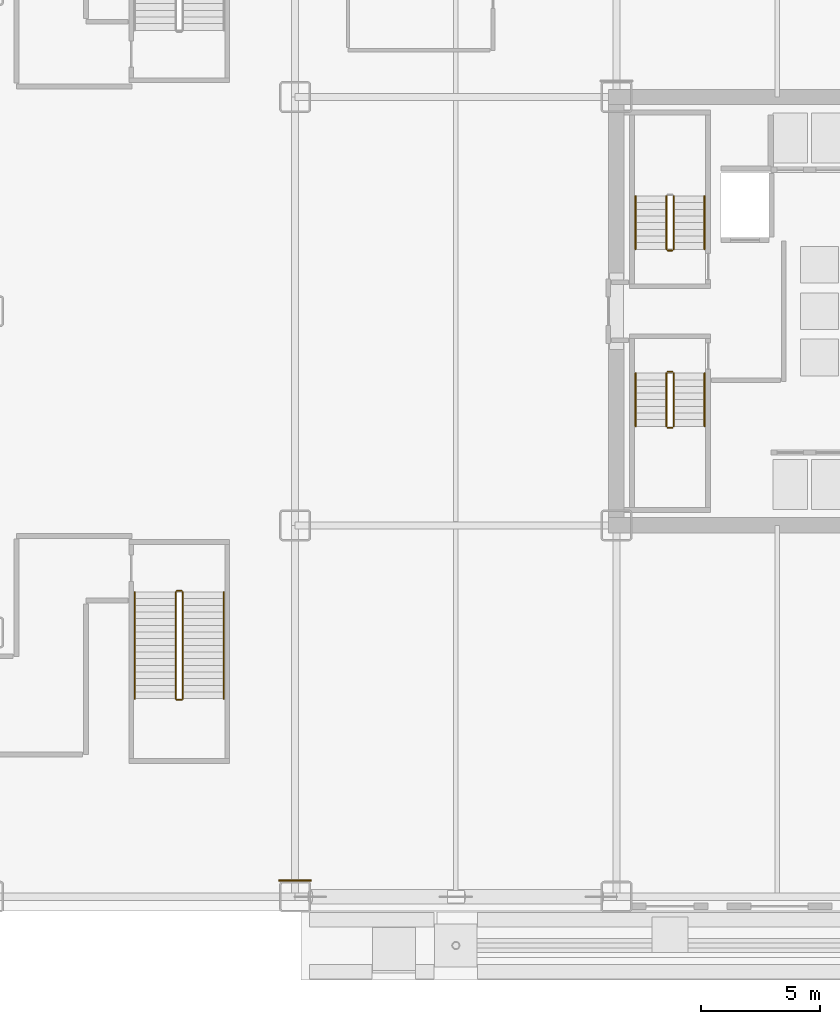
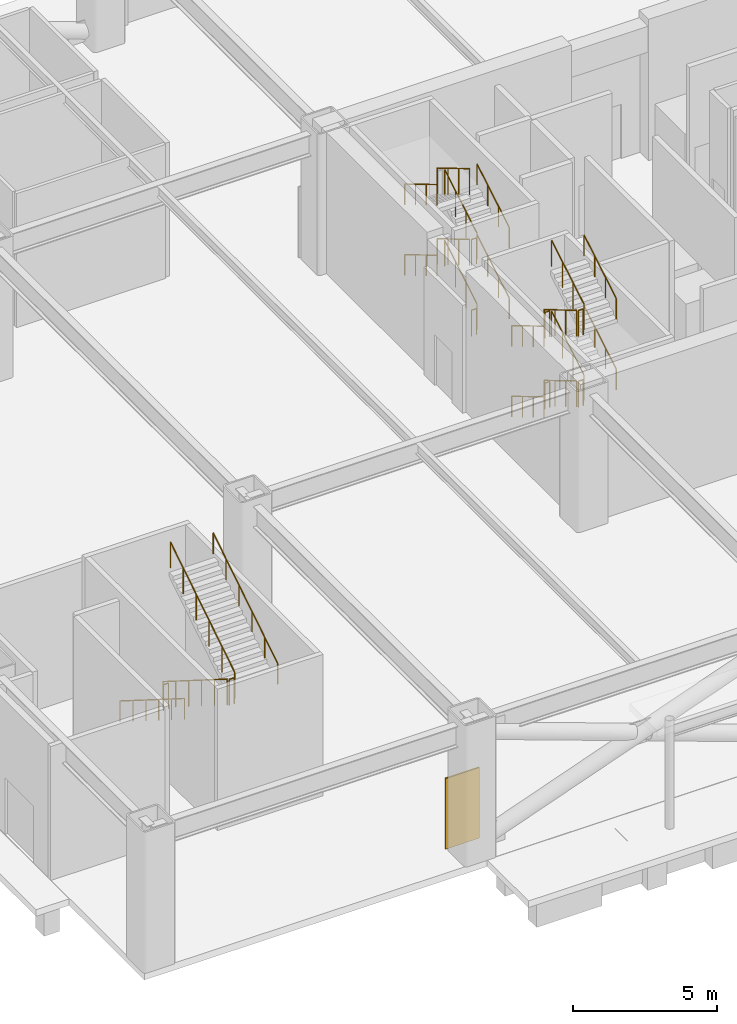
# One storey, part 13 of 17: 28 railings, 1 covering.
"""IFC4 building model written with IfcOpenShell, lengths in metres."""

from ifc_helpers import new_model, si_unit, direction, frame, origin, origin_2d, place, context, subcontext, project, spatial, rectangle, circle, extrude, source, transform, mapped, material, layer, layer_set, type_object, element, save


model = new_model("IFC4")

# Units and contexts
model_context = context("Model", 3, precision=1e-05, world=origin(), true_north=direction((0.0, 1.0)))
body_context = subcontext(model_context, "Body", "Model", "MODEL_VIEW")
ifc_project = project(units=[si_unit("LENGTHUNIT", "METRE"), si_unit("AREAUNIT", "SQUARE_METRE"), si_unit("VOLUMEUNIT", "CUBIC_METRE"), si_unit("PLANEANGLEUNIT", "RADIAN"), si_unit("MASSUNIT", "GRAM", prefix="KILO")], contexts=[model_context])

# Site, building, storey
site_placement = place(None, origin())
site = spatial("IfcSite", under=ifc_project, at=site_placement, CompositionType="ELEMENT")
building_placement = place(site_placement, origin())
building = spatial("IfcBuilding", under=site, at=building_placement, Name="Nefas-Gora Pilgrimage Tower", CompositionType="ELEMENT")
storey_placement = place(building_placement, origin())
storey = spatial("IfcBuildingStorey", under=building, at=storey_placement, Name="L00", CompositionType="ELEMENT", Elevation=0.0)

# Railings
ifc_material_1 = material(Name="Painted galvanised steel", Category="steel")
railing_type_1 = type_object("IfcRailingType", Name="RLG-STR-GUARD-1100", PredefinedType="GUARDRAIL", material=ifc_material_1)
railing_1_placement = place(storey_placement, frame((-8.85009765625, 2.60009765625, 0.166748046875)))
element("IfcRailing", 1, at=railing_1_placement, inside=storey, type_object=railing_type_1, Name="L00 ST-01 stair guard 1", PredefinedType="GUARDRAIL", context=body_context, shape_type="SweptSolid", body=[
    extrude(circle(Radius=0.02392578125, at=origin_2d()), frame((0.0, 0.0, 1.09619140625), z_axis=(0.0, 0.859305625298, 0.511462454469), x_axis=(-1.0, 0.0, 0.0)), (0.0, 0.0, 1.0), 2.606689453125),
    extrude(circle(Radius=0.02099609375, at=origin_2d()), origin(), (0.0, 0.0, 1.0), 1.072021484375),
    extrude(circle(Radius=0.02099609375, at=origin_2d()), frame((0.0, 0.74658203125, 0.4443359375)), (0.0, 0.0, 1.0), 1.072021484375),
    extrude(circle(Radius=0.02099609375, at=origin_2d()), frame((0.0, 1.493408203125, 0.888916015625)), (0.0, 0.0, 1.0), 1.072021484375),
    extrude(circle(Radius=0.02099609375, at=origin_2d()), frame((0.0, 2.239990234375, 1.333251953125)), (0.0, 0.0, 1.0), 1.072021484375),
])
railing_2_placement = place(storey_placement, frame((-9.14990234375, 4.840087890625, 1.666748046875)))
element("IfcRailing", 2, at=railing_2_placement, inside=storey, type_object=railing_type_1, Name="L00 ST-01 stair guard 3", PredefinedType="GUARDRAIL", context=body_context, shape_type="SweptSolid", body=[
    extrude(circle(Radius=0.02392578125, at=origin_2d()), frame((0.0, 0.0, 1.09619140625), z_axis=(0.0, -0.859305625298, 0.511462454469), x_axis=(1.0, 0.0, 0.0)), (0.0, 0.0, 1.0), 2.606689453125),
    extrude(circle(Radius=0.02099609375, at=origin_2d()), origin(), (0.0, 0.0, 1.0), 1.072021484375),
    extrude(circle(Radius=0.02099609375, at=origin_2d()), frame((0.0, -0.74658203125, 0.4443359375)), (0.0, 0.0, 1.0), 1.072021484375),
    extrude(circle(Radius=0.02099609375, at=origin_2d()), frame((0.0, -1.493408203125, 0.888916015625)), (0.0, 0.0, 1.0), 1.072021484375),
    extrude(circle(Radius=0.02099609375, at=origin_2d()), frame((0.0, -2.239990234375, 1.333251953125)), (0.0, 0.0, 1.0), 1.072021484375),
])
railing_3_placement = place(storey_placement, frame((-8.89990234375, 2.550048828125, 3.0)))
element("IfcRailing", 3, at=railing_3_placement, inside=storey, type_object=railing_type_1, Name="L00 ST-01 stair guard 4", PredefinedType="GUARDRAIL", context=body_context, shape_type="SweptSolid", body=[
    extrude(circle(Radius=0.02392578125, at=origin_2d()), frame((0.0, 0.0, 1.09619140625), z_axis=(-1.0, 0.0, 0.0), x_axis=(0.0, -1.0, 0.0)), (0.0, 0.0, 1.0), 0.2001953125),
    extrude(circle(Radius=0.02099609375, at=origin_2d()), origin(), (0.0, 0.0, 1.0), 1.072021484375),
    extrude(circle(Radius=0.02099609375, at=origin_2d()), frame((-0.2001953125, 0.0, 0.0)), (0.0, 0.0, 1.0), 1.072021484375),
])
railing_4_placement = place(storey_placement, frame((-8.85009765625, 2.60009765625, 3.166748046875)))
element("IfcRailing", 4, at=railing_4_placement, inside=storey, type_object=railing_type_1, Name="L00 ST-01 stair guard 5", PredefinedType="GUARDRAIL", context=body_context, shape_type="SweptSolid", body=[
    extrude(circle(Radius=0.02392578125, at=origin_2d()), frame((0.0, 0.0, 1.09619140625), z_axis=(0.0, 0.859305625298, 0.511462454469), x_axis=(-1.0, 0.0, 0.0)), (0.0, 0.0, 1.0), 2.606689453125),
    extrude(circle(Radius=0.02099609375, at=origin_2d()), origin(), (0.0, 0.0, 1.0), 1.072021484375),
    extrude(circle(Radius=0.02099609375, at=origin_2d()), frame((0.0, 0.74658203125, 0.4443359375)), (0.0, 0.0, 1.0), 1.072021484375),
    extrude(circle(Radius=0.02099609375, at=origin_2d()), frame((0.0, 1.493408203125, 0.888916015625)), (0.0, 0.0, 1.0), 1.072021484375),
    extrude(circle(Radius=0.02099609375, at=origin_2d()), frame((0.0, 2.239990234375, 1.333251953125)), (0.0, 0.0, 1.0), 1.072021484375),
])
railing_5_placement = place(storey_placement, frame((-9.14990234375, 4.840087890625, 4.666748046875)))
element("IfcRailing", 5, at=railing_5_placement, inside=storey, type_object=railing_type_1, Name="L00 ST-01 stair guard 7", PredefinedType="GUARDRAIL", context=body_context, shape_type="SweptSolid", body=[
    extrude(circle(Radius=0.02392578125, at=origin_2d()), frame((0.0, 0.0, 1.09619140625), z_axis=(0.0, -0.859305625298, 0.511462454469), x_axis=(1.0, 0.0, 0.0)), (0.0, 0.0, 1.0), 2.606689453125),
    extrude(circle(Radius=0.02099609375, at=origin_2d()), origin(), (0.0, 0.0, 1.0), 1.072021484375),
    extrude(circle(Radius=0.02099609375, at=origin_2d()), frame((0.0, -0.74658203125, 0.4443359375)), (0.0, 0.0, 1.0), 1.072021484375),
    extrude(circle(Radius=0.02099609375, at=origin_2d()), frame((0.0, -1.493408203125, 0.888916015625)), (0.0, 0.0, 1.0), 1.072021484375),
    extrude(circle(Radius=0.02099609375, at=origin_2d()), frame((0.0, -2.239990234375, 1.333251953125)), (0.0, 0.0, 1.0), 1.072021484375),
])
railing_6_placement = place(storey_placement, frame((-8.89990234375, 2.550048828125, 0.0)))
element("IfcRailing", 6, at=railing_6_placement, inside=storey, type_object=railing_type_1, Name="L00 ST-01 stair guard 8", PredefinedType="GUARDRAIL", context=body_context, shape_type="SweptSolid", body=[
    extrude(circle(Radius=0.02392578125, at=origin_2d()), frame((0.0, 0.0, 1.09619140625), z_axis=(-1.0, 0.0, 0.0), x_axis=(0.0, -1.0, 0.0)), (0.0, 0.0, 1.0), 0.2001953125),
    extrude(circle(Radius=0.02099609375, at=origin_2d()), origin(), (0.0, 0.0, 1.0), 1.072021484375),
    extrude(circle(Radius=0.02099609375, at=origin_2d()), frame((-0.2001953125, 0.0, 0.0)), (0.0, 0.0, 1.0), 1.072021484375),
])
railing_7_placement = place(storey_placement, frame((-9.14990234375, -2.60009765625, 0.166748046875)))
element("IfcRailing", 7, at=railing_7_placement, inside=storey, type_object=railing_type_1, Name="L00 ST-03 stair guard 1", PredefinedType="GUARDRAIL", context=body_context, shape_type="SweptSolid", body=[
    extrude(circle(Radius=0.02392578125, at=origin_2d()), frame((0.0, 0.0, 1.09619140625), z_axis=(0.0, -0.859305625298, 0.511462454469), x_axis=(1.0, 0.0, 0.0)), (0.0, 0.0, 1.0), 2.606689453125),
    extrude(circle(Radius=0.02099609375, at=origin_2d()), origin(), (0.0, 0.0, 1.0), 1.072021484375),
    extrude(circle(Radius=0.02099609375, at=origin_2d()), frame((0.0, -0.74658203125, 0.4443359375)), (0.0, 0.0, 1.0), 1.072021484375),
    extrude(circle(Radius=0.02099609375, at=origin_2d()), frame((0.0, -1.493408203125, 0.888916015625)), (0.0, 0.0, 1.0), 1.072021484375),
    extrude(circle(Radius=0.02099609375, at=origin_2d()), frame((0.0, -2.239990234375, 1.333251953125)), (0.0, 0.0, 1.0), 1.072021484375),
])
railing_8_placement = place(storey_placement, frame((-9.10009765625, -4.889892578125, 1.5)))
element("IfcRailing", 8, at=railing_8_placement, inside=storey, type_object=railing_type_1, Name="L00 ST-03 stair guard 2", PredefinedType="GUARDRAIL", context=body_context, shape_type="SweptSolid", body=[
    extrude(circle(Radius=0.02392578125, at=origin_2d()), frame((0.0, 0.0, 1.09619140625), z_axis=(1.0, 0.0, 0.0), x_axis=(0.0, 1.0, 0.0)), (0.0, 0.0, 1.0), 0.2001953125),
    extrude(circle(Radius=0.02099609375, at=origin_2d()), origin(), (0.0, 0.0, 1.0), 1.072021484375),
    extrude(circle(Radius=0.02099609375, at=origin_2d()), frame((0.2001953125, 0.0, 0.0)), (0.0, 0.0, 1.0), 1.072021484375),
])
railing_9_placement = place(storey_placement, frame((-8.85009765625, -4.840087890625, 1.666748046875)))
element("IfcRailing", 9, at=railing_9_placement, inside=storey, type_object=railing_type_1, Name="L00 ST-03 stair guard 3", PredefinedType="GUARDRAIL", context=body_context, shape_type="SweptSolid", body=[
    extrude(circle(Radius=0.02392578125, at=origin_2d()), frame((0.0, 0.0, 1.09619140625), z_axis=(0.0, 0.859305625298, 0.511462454469), x_axis=(-1.0, 0.0, 0.0)), (0.0, 0.0, 1.0), 2.606689453125),
    extrude(circle(Radius=0.02099609375, at=origin_2d()), origin(), (0.0, 0.0, 1.0), 1.072021484375),
    extrude(circle(Radius=0.02099609375, at=origin_2d()), frame((0.0, 0.74658203125, 0.4443359375)), (0.0, 0.0, 1.0), 1.072021484375),
    extrude(circle(Radius=0.02099609375, at=origin_2d()), frame((0.0, 1.493408203125, 0.888916015625)), (0.0, 0.0, 1.0), 1.072021484375),
    extrude(circle(Radius=0.02099609375, at=origin_2d()), frame((0.0, 2.239990234375, 1.333251953125)), (0.0, 0.0, 1.0), 1.072021484375),
])
railing_10_placement = place(storey_placement, frame((-9.10009765625, -2.550048828125, 3.0)))
element("IfcRailing", 10, at=railing_10_placement, inside=storey, type_object=railing_type_1, Name="L00 ST-03 stair guard 4", PredefinedType="GUARDRAIL", context=body_context, shape_type="SweptSolid", body=[
    extrude(circle(Radius=0.02392578125, at=origin_2d()), frame((0.0, 0.0, 1.09619140625), z_axis=(1.0, 0.0, 0.0), x_axis=(0.0, 1.0, 0.0)), (0.0, 0.0, 1.0), 0.2001953125),
    extrude(circle(Radius=0.02099609375, at=origin_2d()), origin(), (0.0, 0.0, 1.0), 1.072021484375),
    extrude(circle(Radius=0.02099609375, at=origin_2d()), frame((0.2001953125, 0.0, 0.0)), (0.0, 0.0, 1.0), 1.072021484375),
])
railing_11_placement = place(storey_placement, frame((-9.14990234375, -2.60009765625, 3.166748046875)))
element("IfcRailing", 11, at=railing_11_placement, inside=storey, type_object=railing_type_1, Name="L00 ST-03 stair guard 5", PredefinedType="GUARDRAIL", context=body_context, shape_type="SweptSolid", body=[
    extrude(circle(Radius=0.02392578125, at=origin_2d()), frame((0.0, 0.0, 1.09619140625), z_axis=(0.0, -0.859305625298, 0.511462454469), x_axis=(1.0, 0.0, 0.0)), (0.0, 0.0, 1.0), 2.606689453125),
    extrude(circle(Radius=0.02099609375, at=origin_2d()), origin(), (0.0, 0.0, 1.0), 1.072021484375),
    extrude(circle(Radius=0.02099609375, at=origin_2d()), frame((0.0, -0.74658203125, 0.4443359375)), (0.0, 0.0, 1.0), 1.072021484375),
    extrude(circle(Radius=0.02099609375, at=origin_2d()), frame((0.0, -1.493408203125, 0.888916015625)), (0.0, 0.0, 1.0), 1.072021484375),
    extrude(circle(Radius=0.02099609375, at=origin_2d()), frame((0.0, -2.239990234375, 1.333251953125)), (0.0, 0.0, 1.0), 1.072021484375),
])
railing_12_placement = place(storey_placement, frame((-9.10009765625, -4.889892578125, 4.5)))
element("IfcRailing", 12, at=railing_12_placement, inside=storey, type_object=railing_type_1, Name="L00 ST-03 stair guard 6", PredefinedType="GUARDRAIL", context=body_context, shape_type="SweptSolid", body=[
    extrude(circle(Radius=0.02392578125, at=origin_2d()), frame((0.0, 0.0, 1.09619140625), z_axis=(1.0, 0.0, 0.0), x_axis=(0.0, 1.0, 0.0)), (0.0, 0.0, 1.0), 0.2001953125),
    extrude(circle(Radius=0.02099609375, at=origin_2d()), origin(), (0.0, 0.0, 1.0), 1.072021484375),
    extrude(circle(Radius=0.02099609375, at=origin_2d()), frame((0.2001953125, 0.0, 0.0)), (0.0, 0.0, 1.0), 1.072021484375),
])
railing_13_placement = place(storey_placement, frame((-8.85009765625, -4.840087890625, 4.666748046875)))
element("IfcRailing", 13, at=railing_13_placement, inside=storey, type_object=railing_type_1, Name="L00 ST-03 stair guard 7", PredefinedType="GUARDRAIL", context=body_context, shape_type="SweptSolid", body=[
    extrude(circle(Radius=0.02392578125, at=origin_2d()), frame((0.0, 0.0, 1.09619140625), z_axis=(0.0, 0.859305625298, 0.511462454469), x_axis=(-1.0, 0.0, 0.0)), (0.0, 0.0, 1.0), 2.606689453125),
    extrude(circle(Radius=0.02099609375, at=origin_2d()), origin(), (0.0, 0.0, 1.0), 1.072021484375),
    extrude(circle(Radius=0.02099609375, at=origin_2d()), frame((0.0, 0.74658203125, 0.4443359375)), (0.0, 0.0, 1.0), 1.072021484375),
    extrude(circle(Radius=0.02099609375, at=origin_2d()), frame((0.0, 1.493408203125, 0.888916015625)), (0.0, 0.0, 1.0), 1.072021484375),
    extrude(circle(Radius=0.02099609375, at=origin_2d()), frame((0.0, 2.239990234375, 1.333251953125)), (0.0, 0.0, 1.0), 1.072021484375),
])
railing_14_placement = place(storey_placement, frame((-9.10009765625, -2.550048828125, 0.0)))
element("IfcRailing", 14, at=railing_14_placement, inside=storey, type_object=railing_type_1, Name="L00 ST-03 stair guard 8", PredefinedType="GUARDRAIL", context=body_context, shape_type="SweptSolid", body=[
    extrude(circle(Radius=0.02392578125, at=origin_2d()), frame((0.0, 0.0, 1.09619140625), z_axis=(1.0, 0.0, 0.0), x_axis=(0.0, 1.0, 0.0)), (0.0, 0.0, 1.0), 0.2001953125),
    extrude(circle(Radius=0.02099609375, at=origin_2d()), origin(), (0.0, 0.0, 1.0), 1.072021484375),
    extrude(circle(Radius=0.02099609375, at=origin_2d()), frame((0.2001953125, 0.0, 0.0)), (0.0, 0.0, 1.0), 1.072021484375),
])
railing_15_placement = place(storey_placement, frame((-29.77001953125, -11.800048828125, 0.176513671875)))
element("IfcRailing", 15, at=railing_15_placement, inside=storey, type_object=railing_type_1, Name="L00 ST-05 stair guard 1", PredefinedType="GUARDRAIL", context=body_context, shape_type="SweptSolid", body=[
    extrude(circle(Radius=0.02392578125, at=origin_2d()), frame((0.0, 0.0, 1.09619140625), z_axis=(0.0, -0.845997938375, 0.533186166611), x_axis=(1.0, 0.0, 0.0)), (0.0, 0.0, 1.0), 5.29541015625),
    extrude(circle(Radius=0.02099609375, at=origin_2d()), origin(), (0.0, 0.0, 1.0), 1.072021484375),
    extrude(circle(Radius=0.02099609375, at=origin_2d()), frame((0.0, -0.89599609375, 0.564697265625)), (0.0, 0.0, 1.0), 1.072021484375),
    extrude(circle(Radius=0.02099609375, at=origin_2d()), frame((0.0, -1.7919921875, 1.12939453125)), (0.0, 0.0, 1.0), 1.072021484375),
    extrude(circle(Radius=0.02099609375, at=origin_2d()), frame((0.0, -2.68798828125, 1.694091796875)), (0.0, 0.0, 1.0), 1.072021484375),
    extrude(circle(Radius=0.02099609375, at=origin_2d()), frame((0.0, -3.583984375, 2.2587890625)), (0.0, 0.0, 1.0), 1.072021484375),
    extrude(circle(Radius=0.02099609375, at=origin_2d()), frame((0.0, -4.47998046875, 2.823486328125)), (0.0, 0.0, 1.0), 1.072021484375),
])
railing_16_placement = place(storey_placement, frame((-29.719970703125, -16.330078125, 3.0)))
element("IfcRailing", 16, at=railing_16_placement, inside=storey, type_object=railing_type_1, Name="L00 ST-05 stair guard 2", PredefinedType="GUARDRAIL", context=body_context, shape_type="SweptSolid", body=[
    extrude(circle(Radius=0.02392578125, at=origin_2d()), frame((0.0, 0.0, 1.09619140625), z_axis=(1.0, 0.0, 0.0), x_axis=(0.0, 1.0, 0.0)), (0.0, 0.0, 1.0), 0.199951171875),
    extrude(circle(Radius=0.02099609375, at=origin_2d()), origin(), (0.0, 0.0, 1.0), 1.072021484375),
    extrude(circle(Radius=0.02099609375, at=origin_2d()), frame((0.199951171875, 0.0, 0.0)), (0.0, 0.0, 1.0), 1.072021484375),
])
railing_17_placement = place(storey_placement, frame((-29.469970703125, -16.280029296875, 3.176513671875)))
element("IfcRailing", 17, at=railing_17_placement, inside=storey, type_object=railing_type_1, Name="L00 ST-05 stair guard 3", PredefinedType="GUARDRAIL", context=body_context, shape_type="SweptSolid", body=[
    extrude(circle(Radius=0.02392578125, at=origin_2d()), frame((0.0, 0.0, 1.09619140625), z_axis=(0.0, 0.845997938375, 0.533186166611), x_axis=(-1.0, 0.0, 0.0)), (0.0, 0.0, 1.0), 5.29541015625),
    extrude(circle(Radius=0.02099609375, at=origin_2d()), origin(), (0.0, 0.0, 1.0), 1.072021484375),
    extrude(circle(Radius=0.02099609375, at=origin_2d()), frame((0.0, 0.89599609375, 0.564697265625)), (0.0, 0.0, 1.0), 1.072021484375),
    extrude(circle(Radius=0.02099609375, at=origin_2d()), frame((0.0, 1.7919921875, 1.12939453125)), (0.0, 0.0, 1.0), 1.072021484375),
    extrude(circle(Radius=0.02099609375, at=origin_2d()), frame((0.0, 2.68798828125, 1.694091796875)), (0.0, 0.0, 1.0), 1.072021484375),
    extrude(circle(Radius=0.02099609375, at=origin_2d()), frame((0.0, 3.583984375, 2.2587890625)), (0.0, 0.0, 1.0), 1.072021484375),
    extrude(circle(Radius=0.02099609375, at=origin_2d()), frame((0.0, 4.47998046875, 2.823486328125)), (0.0, 0.0, 1.0), 1.072021484375),
])
railing_18_placement = place(storey_placement, frame((-29.719970703125, -11.75, 0.0)))
element("IfcRailing", 18, at=railing_18_placement, inside=storey, type_object=railing_type_1, Name="L00 ST-05 stair guard 4", PredefinedType="GUARDRAIL", context=body_context, shape_type="SweptSolid", body=[
    extrude(circle(Radius=0.02392578125, at=origin_2d()), frame((0.0, 0.0, 1.09619140625), z_axis=(1.0, 0.0, 0.0), x_axis=(0.0, 1.0, 0.0)), (0.0, 0.0, 1.0), 0.199951171875),
    extrude(circle(Radius=0.02099609375, at=origin_2d()), origin(), (0.0, 0.0, 1.0), 1.072021484375),
    extrude(circle(Radius=0.02099609375, at=origin_2d()), frame((0.199951171875, 0.0, 0.0)), (0.0, 0.0, 1.0), 1.072021484375),
])
ifc_material_2 = material(Name="Brushed stainless steel", Category="steel")
railing_type_2 = type_object("IfcRailingType", Name="RLG-STR-HAND-900", PredefinedType="HANDRAIL", material=ifc_material_2)
railing_19_placement = place(storey_placement, frame((-7.550048828125, 2.60009765625, 0.166748046875)))
element("IfcRailing", 19, at=railing_19_placement, inside=storey, type_object=railing_type_2, Name="L00 ST-01 stair handrail 1", PredefinedType="HANDRAIL", context=body_context, shape_type="SweptSolid", body=[
    extrude(circle(Radius=0.02392578125, at=origin_2d()), frame((0.0, 0.0, 0.8759765625), z_axis=(0.0, 0.859305625298, 0.511462454469), x_axis=(-1.0, 0.0, 0.0)), (0.0, 0.0, 1.0), 2.606689453125),
    extrude(circle(Radius=0.02099609375, at=origin_2d()), origin(), (0.0, 0.0, 1.0), 0.851806640625),
    extrude(circle(Radius=0.02099609375, at=origin_2d()), frame((0.0, 0.74658203125, 0.4443359375)), (0.0, 0.0, 1.0), 0.851806640625),
    extrude(circle(Radius=0.02099609375, at=origin_2d()), frame((0.0, 1.493408203125, 0.888916015625)), (0.0, 0.0, 1.0), 0.851806640625),
    extrude(circle(Radius=0.02099609375, at=origin_2d()), frame((0.0, 2.239990234375, 1.333251953125)), (0.0, 0.0, 1.0), 0.851806640625),
])
railing_20_placement = place(storey_placement, frame((-10.449951171875, 4.840087890625, 1.666748046875)))
element("IfcRailing", 20, at=railing_20_placement, inside=storey, type_object=railing_type_2, Name="L00 ST-01 stair handrail 2", PredefinedType="HANDRAIL", context=body_context, shape_type="SweptSolid", body=[
    extrude(circle(Radius=0.02392578125, at=origin_2d()), frame((0.0, 0.0, 0.8759765625), z_axis=(0.0, -0.859305625298, 0.511462454469), x_axis=(1.0, 0.0, 0.0)), (0.0, 0.0, 1.0), 2.606689453125),
    extrude(circle(Radius=0.02099609375, at=origin_2d()), origin(), (0.0, 0.0, 1.0), 0.851806640625),
    extrude(circle(Radius=0.02099609375, at=origin_2d()), frame((0.0, -0.74658203125, 0.4443359375)), (0.0, 0.0, 1.0), 0.851806640625),
    extrude(circle(Radius=0.02099609375, at=origin_2d()), frame((0.0, -1.493408203125, 0.888916015625)), (0.0, 0.0, 1.0), 0.851806640625),
    extrude(circle(Radius=0.02099609375, at=origin_2d()), frame((0.0, -2.239990234375, 1.333251953125)), (0.0, 0.0, 1.0), 0.851806640625),
])
railing_21_placement = place(storey_placement, frame((-7.550048828125, 2.60009765625, 3.166748046875)))
element("IfcRailing", 21, at=railing_21_placement, inside=storey, type_object=railing_type_2, Name="L00 ST-01 stair handrail 3", PredefinedType="HANDRAIL", context=body_context, shape_type="SweptSolid", body=[
    extrude(circle(Radius=0.02392578125, at=origin_2d()), frame((0.0, 0.0, 0.8759765625), z_axis=(0.0, 0.859305625298, 0.511462454469), x_axis=(-1.0, 0.0, 0.0)), (0.0, 0.0, 1.0), 2.606689453125),
    extrude(circle(Radius=0.02099609375, at=origin_2d()), origin(), (0.0, 0.0, 1.0), 0.851806640625),
    extrude(circle(Radius=0.02099609375, at=origin_2d()), frame((0.0, 0.74658203125, 0.4443359375)), (0.0, 0.0, 1.0), 0.851806640625),
    extrude(circle(Radius=0.02099609375, at=origin_2d()), frame((0.0, 1.493408203125, 0.888916015625)), (0.0, 0.0, 1.0), 0.851806640625),
    extrude(circle(Radius=0.02099609375, at=origin_2d()), frame((0.0, 2.239990234375, 1.333251953125)), (0.0, 0.0, 1.0), 0.851806640625),
])
for number, where, name in (
    (22, (-10.449951171875, 4.840087890625, 4.666748046875), "L00 ST-01 stair handrail 4"),
    (23, (-10.449951171875, -2.60009765625, 0.166748046875), "L00 ST-03 stair handrail 1"),
):
    element("IfcRailing", number, at=place(storey_placement, frame(where)), inside=storey, type_object=railing_type_2, Name=name, PredefinedType="HANDRAIL", context=body_context, shape_type="SweptSolid", body=[
        extrude(circle(Radius=0.02392578125, at=origin_2d()), frame((0.0, 0.0, 0.8759765625), z_axis=(0.0, -0.859305625298, 0.511462454469), x_axis=(1.0, 0.0, 0.0)), (0.0, 0.0, 1.0), 2.606689453125),
        extrude(circle(Radius=0.02099609375, at=origin_2d()), origin(), (0.0, 0.0, 1.0), 0.851806640625),
        extrude(circle(Radius=0.02099609375, at=origin_2d()), frame((0.0, -0.74658203125, 0.4443359375)), (0.0, 0.0, 1.0), 0.851806640625),
        extrude(circle(Radius=0.02099609375, at=origin_2d()), frame((0.0, -1.493408203125, 0.888916015625)), (0.0, 0.0, 1.0), 0.851806640625),
        extrude(circle(Radius=0.02099609375, at=origin_2d()), frame((0.0, -2.239990234375, 1.333251953125)), (0.0, 0.0, 1.0), 0.851806640625),
    ])
railing_22_placement = place(storey_placement, frame((-7.550048828125, -4.840087890625, 1.666748046875)))
element("IfcRailing", 24, at=railing_22_placement, inside=storey, type_object=railing_type_2, Name="L00 ST-03 stair handrail 2", PredefinedType="HANDRAIL", context=body_context, shape_type="SweptSolid", body=[
    extrude(circle(Radius=0.02392578125, at=origin_2d()), frame((0.0, 0.0, 0.8759765625), z_axis=(0.0, 0.859305625298, 0.511462454469), x_axis=(-1.0, 0.0, 0.0)), (0.0, 0.0, 1.0), 2.606689453125),
    extrude(circle(Radius=0.02099609375, at=origin_2d()), origin(), (0.0, 0.0, 1.0), 0.851806640625),
    extrude(circle(Radius=0.02099609375, at=origin_2d()), frame((0.0, 0.74658203125, 0.4443359375)), (0.0, 0.0, 1.0), 0.851806640625),
    extrude(circle(Radius=0.02099609375, at=origin_2d()), frame((0.0, 1.493408203125, 0.888916015625)), (0.0, 0.0, 1.0), 0.851806640625),
    extrude(circle(Radius=0.02099609375, at=origin_2d()), frame((0.0, 2.239990234375, 1.333251953125)), (0.0, 0.0, 1.0), 0.851806640625),
])
railing_23_placement = place(storey_placement, frame((-10.449951171875, -2.60009765625, 3.166748046875)))
element("IfcRailing", 25, at=railing_23_placement, inside=storey, type_object=railing_type_2, Name="L00 ST-03 stair handrail 3", PredefinedType="HANDRAIL", context=body_context, shape_type="SweptSolid", body=[
    extrude(circle(Radius=0.02392578125, at=origin_2d()), frame((0.0, 0.0, 0.8759765625), z_axis=(0.0, -0.859305625298, 0.511462454469), x_axis=(1.0, 0.0, 0.0)), (0.0, 0.0, 1.0), 2.606689453125),
    extrude(circle(Radius=0.02099609375, at=origin_2d()), origin(), (0.0, 0.0, 1.0), 0.851806640625),
    extrude(circle(Radius=0.02099609375, at=origin_2d()), frame((0.0, -0.74658203125, 0.4443359375)), (0.0, 0.0, 1.0), 0.851806640625),
    extrude(circle(Radius=0.02099609375, at=origin_2d()), frame((0.0, -1.493408203125, 0.888916015625)), (0.0, 0.0, 1.0), 0.851806640625),
    extrude(circle(Radius=0.02099609375, at=origin_2d()), frame((0.0, -2.239990234375, 1.333251953125)), (0.0, 0.0, 1.0), 0.851806640625),
])
railing_24_placement = place(storey_placement, frame((-7.550048828125, -4.840087890625, 4.666748046875)))
element("IfcRailing", 26, at=railing_24_placement, inside=storey, type_object=railing_type_2, Name="L00 ST-03 stair handrail 4", PredefinedType="HANDRAIL", context=body_context, shape_type="SweptSolid", body=[
    extrude(circle(Radius=0.02392578125, at=origin_2d()), frame((0.0, 0.0, 0.8759765625), z_axis=(0.0, 0.859305625298, 0.511462454469), x_axis=(-1.0, 0.0, 0.0)), (0.0, 0.0, 1.0), 2.606689453125),
    extrude(circle(Radius=0.02099609375, at=origin_2d()), origin(), (0.0, 0.0, 1.0), 0.851806640625),
    extrude(circle(Radius=0.02099609375, at=origin_2d()), frame((0.0, 0.74658203125, 0.4443359375)), (0.0, 0.0, 1.0), 0.851806640625),
    extrude(circle(Radius=0.02099609375, at=origin_2d()), frame((0.0, 1.493408203125, 0.888916015625)), (0.0, 0.0, 1.0), 0.851806640625),
    extrude(circle(Radius=0.02099609375, at=origin_2d()), frame((0.0, 2.239990234375, 1.333251953125)), (0.0, 0.0, 1.0), 0.851806640625),
])
railing_25_placement = place(storey_placement, frame((-31.489990234375, -11.800048828125, 0.176513671875)))
element("IfcRailing", 27, at=railing_25_placement, inside=storey, type_object=railing_type_2, Name="L00 ST-05 stair handrail 1", PredefinedType="HANDRAIL", context=body_context, shape_type="SweptSolid", body=[
    extrude(circle(Radius=0.02392578125, at=origin_2d()), frame((0.0, 0.0, 0.8759765625), z_axis=(0.0, -0.845997938375, 0.533186166611), x_axis=(1.0, 0.0, 0.0)), (0.0, 0.0, 1.0), 5.29541015625),
    extrude(circle(Radius=0.02099609375, at=origin_2d()), origin(), (0.0, 0.0, 1.0), 0.851806640625),
    extrude(circle(Radius=0.02099609375, at=origin_2d()), frame((0.0, -0.89599609375, 0.564697265625)), (0.0, 0.0, 1.0), 0.851806640625),
    extrude(circle(Radius=0.02099609375, at=origin_2d()), frame((0.0, -1.7919921875, 1.12939453125)), (0.0, 0.0, 1.0), 0.851806640625),
    extrude(circle(Radius=0.02099609375, at=origin_2d()), frame((0.0, -2.68798828125, 1.694091796875)), (0.0, 0.0, 1.0), 0.851806640625),
    extrude(circle(Radius=0.02099609375, at=origin_2d()), frame((0.0, -3.583984375, 2.2587890625)), (0.0, 0.0, 1.0), 0.851806640625),
    extrude(circle(Radius=0.02099609375, at=origin_2d()), frame((0.0, -4.47998046875, 2.823486328125)), (0.0, 0.0, 1.0), 0.851806640625),
])
railing_26_placement = place(storey_placement, frame((-27.75, -16.280029296875, 3.176513671875)))
element("IfcRailing", 28, at=railing_26_placement, inside=storey, type_object=railing_type_2, Name="L00 ST-05 stair handrail 2", PredefinedType="HANDRAIL", context=body_context, shape_type="SweptSolid", body=[
    extrude(circle(Radius=0.02392578125, at=origin_2d()), frame((0.0, 0.0, 0.8759765625), z_axis=(0.0, 0.845997938375, 0.533186166611), x_axis=(-1.0, 0.0, 0.0)), (0.0, 0.0, 1.0), 5.29541015625),
    extrude(circle(Radius=0.02099609375, at=origin_2d()), origin(), (0.0, 0.0, 1.0), 0.851806640625),
    extrude(circle(Radius=0.02099609375, at=origin_2d()), frame((0.0, 0.89599609375, 0.564697265625)), (0.0, 0.0, 1.0), 0.851806640625),
    extrude(circle(Radius=0.02099609375, at=origin_2d()), frame((0.0, 1.7919921875, 1.12939453125)), (0.0, 0.0, 1.0), 0.851806640625),
    extrude(circle(Radius=0.02099609375, at=origin_2d()), frame((0.0, 2.68798828125, 1.694091796875)), (0.0, 0.0, 1.0), 0.851806640625),
    extrude(circle(Radius=0.02099609375, at=origin_2d()), frame((0.0, 3.583984375, 2.2587890625)), (0.0, 0.0, 1.0), 0.851806640625),
    extrude(circle(Radius=0.02099609375, at=origin_2d()), frame((0.0, 4.47998046875, 2.823486328125)), (0.0, 0.0, 1.0), 0.851806640625),
])

# Covering
ifc_material_3 = material(Name="Honed Ethiopian basalt stone cladding", Category="masonry")
ifc_layer = layer(ifc_material_3, 0.06005859375)
ifc_layer_set = layer_set([ifc_layer], Name="Honed Ethiopian basalt stone cladding")
covering_type = type_object("IfcCoveringType", Name="COV-CLAD-GRAN", PredefinedType="CLADDING", material=ifc_layer_set)
shared_shape = source(origin(), body_context, "Body", "SweptSolid", [
    extrude(rectangle(XDim=1.360107421875, YDim=0.06005859375, at=origin_2d()), origin(), (0.0, 0.0, 1.0), 3.0),
])
covering_placement = place(storey_placement, frame((-24.75, -23.919921875, 0.0), z_axis=(0.0, 0.0, 1.0), x_axis=(1.0, 0.0, 0.0)))
element("IfcCovering", 29, at=covering_placement, inside=storey, type_object=covering_type, Name="L00 Basalt Plinth Cladding Collar 3", PredefinedType="CLADDING", context=body_context, shape_type="MappedRepresentation", body=[
    mapped(shared_shape, transform((0.0, 0.0, 0.0), x_axis=(1.0, 0.0, 0.0), y_axis=(0.0, 1.0, 0.0), z_axis=(0.0, 0.0, 1.0), scale=1.0)),
])

save(model, "model.ifc")
